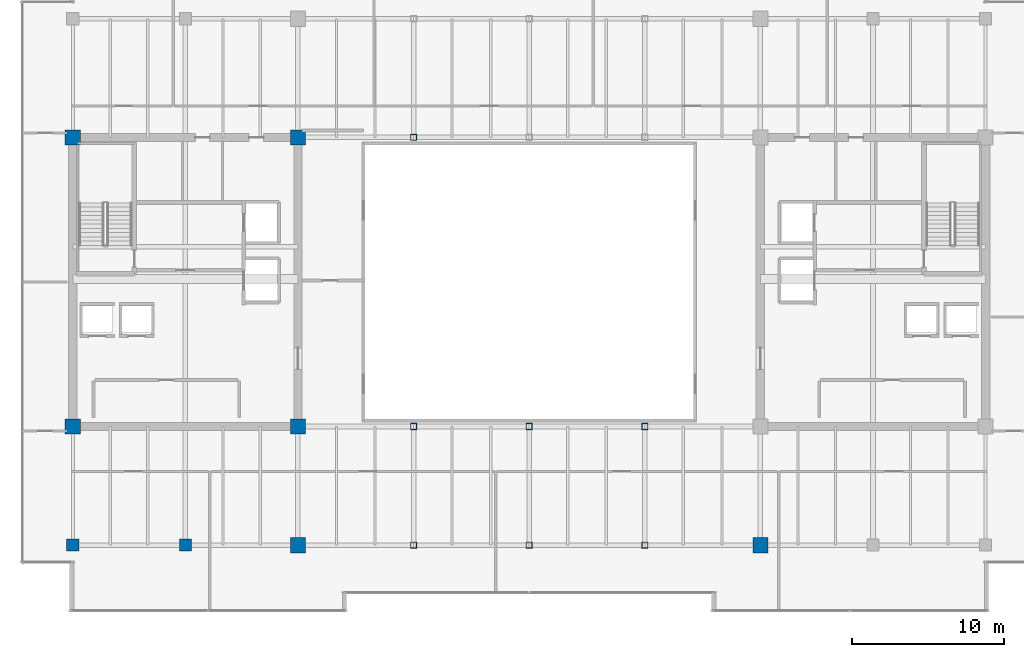
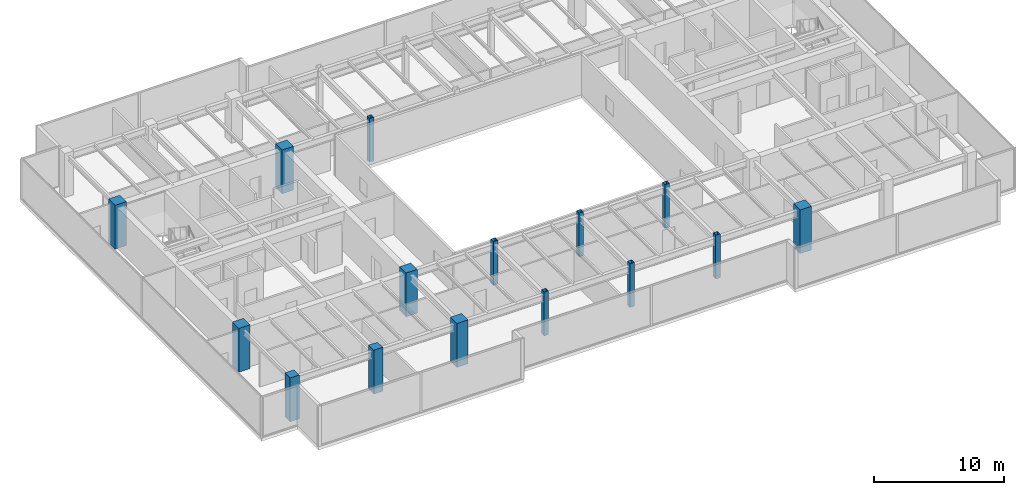
# One storey, part 1 of 33: 15 columns.
"""IFC4 building model written with IfcOpenShell, lengths in metres."""

from ifc_helpers import new_model, si_unit, direction, frame, origin, origin_2d, place, context, subcontext, project, spatial, rectangle, hollow_rectangle, extrude, source, transform, mapped, material, material_profile, profile_set, type_object, type_shapes, element, save


model = new_model("IFC4")

# Units and contexts
model_context = context("Model", 3, precision=1e-05, world=origin(), true_north=direction((0.0, 1.0)))
body_context = subcontext(model_context, "Body", "Model", "MODEL_VIEW")
ifc_project = project(units=[si_unit("LENGTHUNIT", "METRE"), si_unit("AREAUNIT", "SQUARE_METRE"), si_unit("VOLUMEUNIT", "CUBIC_METRE"), si_unit("PLANEANGLEUNIT", "RADIAN"), si_unit("MASSUNIT", "GRAM", prefix="KILO")], contexts=[model_context])

# Site, building, storey
site_placement = place(None, origin())
site = spatial("IfcSite", under=ifc_project, at=site_placement, CompositionType="ELEMENT")
building_placement = place(site_placement, origin())
building = spatial("IfcBuilding", under=site, at=building_placement, Name="Haelvirn Gate Laboratories", CompositionType="ELEMENT")
storey_placement = place(building_placement, frame((0.0, 0.0, 213.699951171875)))
storey = spatial("IfcBuildingStorey", under=building, at=storey_placement, Name="L51", CompositionType="ELEMENT", Elevation=213.699951171875)

# Columns
ifc_material_1 = material(Name="Concrete C60/75", Category="concrete")
ifc_material_profile_1 = material_profile(ifc_material_1, rectangle(XDim=1.0, YDim=1.0, at=origin_2d()), Name="RC-1000x1000")
ifc_profile_set_1 = profile_set([ifc_material_profile_1], Name="Concrete C60/75")
column_type_1 = type_object("IfcColumnType", Name="COL-RC-1000", PredefinedType="COLUMN", material=ifc_profile_set_1)
shared_shape_1 = source(origin(), body_context, "Body", "SweptSolid", [
    extrude(rectangle(XDim=1.0, YDim=1.0, at=origin_2d()), origin(), (0.0, 0.0, 1.0), 4.10009765625),
])
type_shapes(column_type_1, [shared_shape_1])
for number, where, z_axis, x_axis, name in (
    (1, (22.199951171875, 7.0, 0.0), (0.0, 0.0, 1.0), (1.0, 0.0, 0.0), "L51 Column 4B"),
    (2, (7.39990234375, 14.800048828125, 0.0), (0.0, 0.0, 1.0), (1.0, 0.0, 0.0), "L51 Column 2C"),
    (3, (22.199951171875, 14.800048828125, 0.0), (0.0, 0.0, 1.0), (1.0, 0.0, 0.0), "L51 Column 4C"),
    (4, (7.39990234375, 33.800048828125, 0.0), (0.0, 0.0, 1.0), (1.0, 0.0, 0.0), "L51 Column 2F"),
    (5, (22.199951171875, 33.800048828125, 0.0), (0.0, 0.0, 1.0), (1.0, 0.0, 0.0), "L51 Column 4F"),
    (6, (52.60009765625, 7.0, 0.0), (0.0, 0.0, 1.0), (1.0, 0.0, 0.0), "L51 Column 8B"),
):
    element("IfcColumn", number, at=place(storey_placement, frame(where, z_axis=z_axis, x_axis=x_axis)), inside=storey, type_object=column_type_1, Name=name, PredefinedType="COLUMN", context=body_context, shape_type="MappedRepresentation", body=[
        mapped(shared_shape_1, transform((0.0, 0.0, 0.0), scale=1.0)),
    ])
ifc_material_2 = material(Name="Concrete C50/60", Category="concrete")
ifc_material_profile_2 = material_profile(ifc_material_2, rectangle(XDim=0.800048828125, YDim=0.800048828125, at=origin_2d()), Name="RC-800x800")
ifc_profile_set_2 = profile_set([ifc_material_profile_2], Name="Concrete C50/60")
column_type_2 = type_object("IfcColumnType", Name="COL-RC-800", PredefinedType="COLUMN", material=ifc_profile_set_2)
shared_shape_2 = source(origin(), body_context, "Body", "SweptSolid", [
    extrude(rectangle(XDim=0.800048828125, YDim=0.800048828125, at=origin_2d()), origin(), (0.0, 0.0, 1.0), 4.10009765625),
])
type_shapes(column_type_2, [shared_shape_2])
for number, where, z_axis, x_axis, name in (
    (7, (14.800048828125, 7.0, 0.0), (0.0, 0.0, 1.0), (1.0, 0.0, 0.0), "L51 Column 3B"),
    (8, (7.39990234375, 7.0, 0.0), (0.0, 0.0, 1.0), (1.0, 0.0, 0.0), "L51 Column 2B"),
):
    element("IfcColumn", number, at=place(storey_placement, frame(where, z_axis=z_axis, x_axis=x_axis)), inside=storey, type_object=column_type_2, Name=name, PredefinedType="COLUMN", context=body_context, shape_type="MappedRepresentation", body=[
        mapped(shared_shape_2, transform((0.0, 0.0, 0.0), scale=1.0)),
    ])
ifc_material_3 = material(Name="Steel SM355", Category="steel")
ifc_material_profile_3 = material_profile(ifc_material_3, hollow_rectangle(XDim=0.39990234375, YDim=0.39990234375, WallThickness=0.01904296875, at=origin_2d()), Name="BOX-400x400x19")
ifc_profile_set_3 = profile_set([ifc_material_profile_3], Name="Steel SM355")
column_type_3 = type_object("IfcColumnType", Name="COL-BOX-400", PredefinedType="COLUMN", material=ifc_profile_set_3)
shared_shape_3 = source(origin(), body_context, "Body", "SweptSolid", [
    extrude(hollow_rectangle(XDim=0.39990234375, YDim=0.39990234375, WallThickness=0.01904296875, at=origin_2d()), origin(), (0.0, 0.0, 1.0), 4.10009765625),
])
type_shapes(column_type_3, [shared_shape_3])
for number, where, z_axis, x_axis, name in (
    (9, (29.800048828125, 7.0, 0.0), (0.0, 0.0, 1.0), (1.0, 0.0, 0.0), "L51 Column 5B"),
    (10, (29.800048828125, 14.800048828125, 0.0), (0.0, 0.0, 1.0), (1.0, 0.0, 0.0), "L51 Column 5C"),
    (11, (29.800048828125, 33.800048828125, 0.0), (0.0, 0.0, 1.0), (1.0, 0.0, 0.0), "L51 Column 5F"),
    (12, (37.39990234375, 7.0, 0.0), (0.0, 0.0, 1.0), (1.0, 0.0, 0.0), "L51 Column 6B"),
    (13, (37.39990234375, 14.800048828125, 0.0), (0.0, 0.0, 1.0), (1.0, 0.0, 0.0), "L51 Column 6C"),
    (14, (45.0, 7.0, 0.0), (0.0, 0.0, 1.0), (1.0, 0.0, 0.0), "L51 Column 7B"),
    (15, (45.0, 14.800048828125, 0.0), (0.0, 0.0, 1.0), (1.0, 0.0, 0.0), "L51 Column 7C"),
):
    element("IfcColumn", number, at=place(storey_placement, frame(where, z_axis=z_axis, x_axis=x_axis)), inside=storey, type_object=column_type_3, Name=name, PredefinedType="COLUMN", context=body_context, shape_type="MappedRepresentation", body=[
        mapped(shared_shape_3, transform((0.0, 0.0, 0.0), scale=1.0)),
    ])

save(model, "model.ifc")
